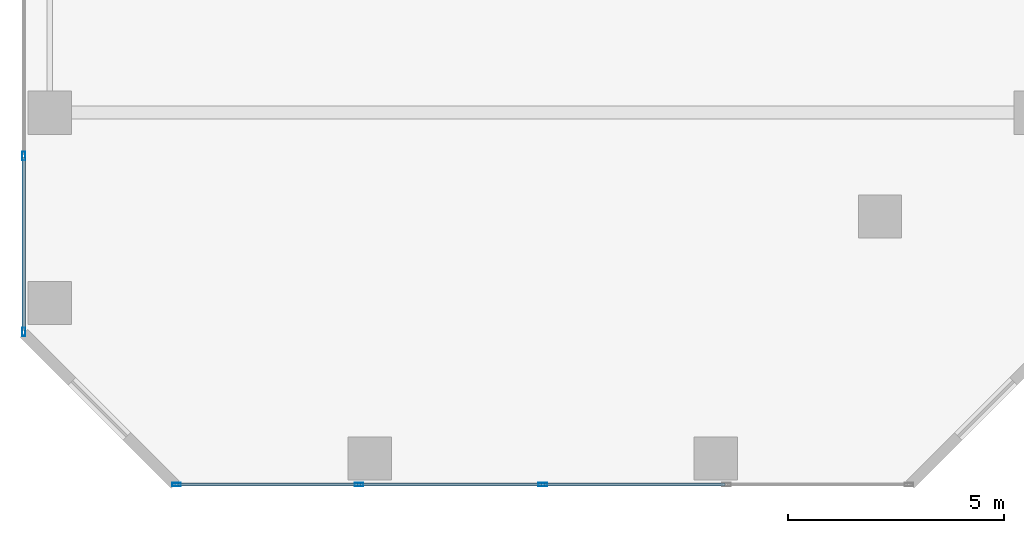
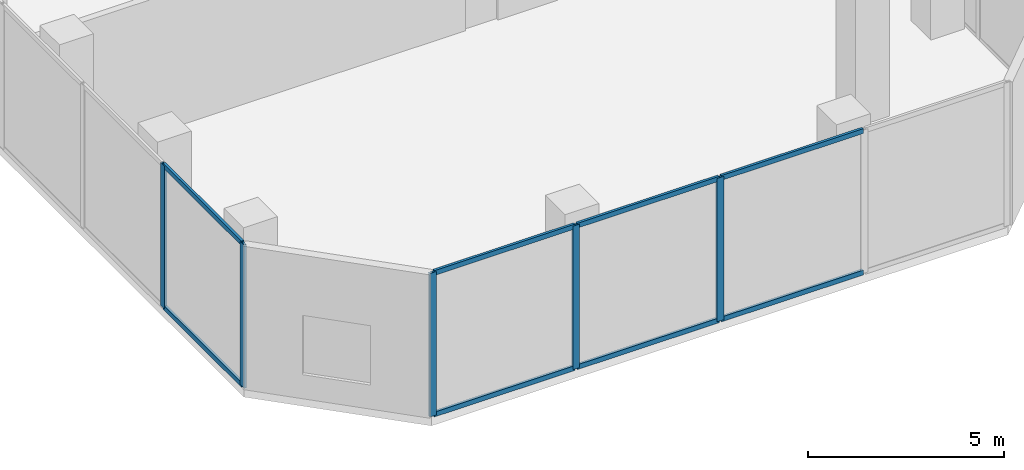
# One storey, part 2 of 24: 13 members, 2 elements without a shape of their own.
"""IFC4 building model written with IfcOpenShell, lengths in metres."""

from ifc_helpers import new_model, si_unit, direction, frame, origin, origin_2d, place, context, subcontext, project, spatial, hollow_rectangle, extrude, material, layer, layer_set, material_profile, profile_set, type_object, element, aggregate, save


model = new_model("IFC4")

# Units and contexts
model_context = context("Model", 3, precision=1e-05, world=origin(), true_north=direction((0.0, 1.0)))
body_context = subcontext(model_context, "Body", "Model", "MODEL_VIEW")
ifc_project = project(units=[si_unit("LENGTHUNIT", "METRE"), si_unit("AREAUNIT", "SQUARE_METRE"), si_unit("VOLUMEUNIT", "CUBIC_METRE"), si_unit("PLANEANGLEUNIT", "RADIAN"), si_unit("MASSUNIT", "GRAM", prefix="KILO")], contexts=[model_context])

# Site, building, storey
site_placement = place(None, origin())
site = spatial("IfcSite", under=ifc_project, at=site_placement, CompositionType="ELEMENT")
building_placement = place(site_placement, origin())
building = spatial("IfcBuilding", under=site, at=building_placement, Name="Catumbela Crestline Tower", CompositionType="ELEMENT")
storey_placement = place(building_placement, frame((0.0, 0.0, 11.1)))
storey = spatial("IfcBuildingStorey", under=building, at=storey_placement, Name="L02", CompositionType="ELEMENT", Elevation=11.1)

# Curtain wall, members
ifc_material = material(Name="Aluminium alloy AW-6060-T66", Category="aluminium")
ifc_layer = layer(ifc_material, 0.18, Name="Aluminium alloy AW-6060-T66")
ifc_layer_set = layer_set([ifc_layer], Name="Aluminium alloy AW-6060-T66")
curtain_wall_type = type_object("IfcCurtainWallType", Name="CWS-POD", PredefinedType="USERDEFINED", material=ifc_layer_set)
curtain_wall_1_placement = place(storey_placement, origin())
curtain_wall_1 = element("IfcCurtainWall", 1, at=curtain_wall_1_placement, inside=storey, type_object=curtain_wall_type, Name="L02 Stick Curtain Wall CW-L02-E0S1", ObjectType="STICK", PredefinedType="USERDEFINED")
ifc_material_profile_1 = material_profile(ifc_material, hollow_rectangle(XDim=0.075, YDim=0.2, WallThickness=0.005, at=origin_2d()), Name="ALU 200x75x5")
ifc_profile_set_1 = profile_set([ifc_material_profile_1], Name="Aluminium alloy AW-6060-T66")
member_type_1 = type_object("IfcMemberType", Name="MUL-200X75", PredefinedType="MULLION", material=ifc_profile_set_1)
member_1_placement = place(storey_placement, frame((3.5325, 0.0, 0.0), z_axis=(0.0, 0.0, 1.0), x_axis=(0.0, 1.0, 0.0)))
member_1 = element("IfcMember", 2, at=member_1_placement, type_object=member_type_1, Name="CWS-POD mullion 1", PredefinedType="MULLION", context=body_context, shape_type="SweptSolid", body=[
    extrude(hollow_rectangle(XDim=0.075, YDim=0.2, WallThickness=0.005, at=origin_2d()), origin(), (0.0, 0.0, 1.0), 4.47),
])
member_2_placement = place(storey_placement, frame((7.75, 0.0, 0.0), z_axis=(0.0, 0.0, 1.0), x_axis=(0.0, 1.0, 0.0)))
member_2 = element("IfcMember", 3, at=member_2_placement, type_object=member_type_1, Name="CWS-POD mullion 2", PredefinedType="MULLION", context=body_context, shape_type="SweptSolid", body=[
    extrude(hollow_rectangle(XDim=0.075, YDim=0.2, WallThickness=0.005, at=origin_2d()), origin(), (0.0, 0.0, 1.0), 4.47),
])
member_3_placement = place(storey_placement, frame((12.0, 0.0, 0.0), z_axis=(0.0, 0.0, 1.0), x_axis=(0.0, 1.0, 0.0)))
member_3 = element("IfcMember", 4, at=member_3_placement, type_object=member_type_1, Name="CWS-POD mullion 3", PredefinedType="MULLION", context=body_context, shape_type="SweptSolid", body=[
    extrude(hollow_rectangle(XDim=0.075, YDim=0.2, WallThickness=0.005, at=origin_2d()), origin(), (0.0, 0.0, 1.0), 4.47),
])

curtain_wall_2_placement = place(storey_placement, origin())
curtain_wall_2 = element("IfcCurtainWall", 5, at=curtain_wall_2_placement, inside=storey, type_object=curtain_wall_type, Name="L02 Stick Curtain Wall CW-L02-E9S1", ObjectType="STICK", PredefinedType="USERDEFINED")
member_4_placement = place(storey_placement, frame((0.0, 7.6, 0.0), z_axis=(0.0, 0.0, 1.0), x_axis=(1.0, 0.0, 0.0)))
member_4 = element("IfcMember", 6, at=member_4_placement, type_object=member_type_1, Name="CWS-POD mullion 10", PredefinedType="MULLION", context=body_context, shape_type="SweptSolid", body=[
    extrude(hollow_rectangle(XDim=0.075, YDim=0.2, WallThickness=0.005, at=origin_2d()), origin(), (0.0, 0.0, 1.0), 4.47),
])
member_5_placement = place(storey_placement, frame((0.0, 3.5325, 0.0), z_axis=(0.0, 0.0, 1.0), x_axis=(1.0, 0.0, 0.0)))
member_5 = element("IfcMember", 7, at=member_5_placement, type_object=member_type_1, Name="CWS-POD mullion 11", PredefinedType="MULLION", context=body_context, shape_type="SweptSolid", body=[
    extrude(hollow_rectangle(XDim=0.075, YDim=0.2, WallThickness=0.005, at=origin_2d()), origin(), (0.0, 0.0, 1.0), 4.47),
])

# Member
ifc_material_profile_2 = material_profile(ifc_material, hollow_rectangle(XDim=0.075, YDim=0.15, WallThickness=0.0045, at=origin_2d()), Name="ALU 150x75x4.5")
ifc_profile_set_2 = profile_set([ifc_material_profile_2], Name="Aluminium alloy AW-6060-T66")
member_type_2 = type_object("IfcMemberType", Name="TRN-150X75", PredefinedType="USERDEFINED", material=ifc_profile_set_2)
member_6_placement = place(storey_placement, frame((3.565, 0.0, 0.03), z_axis=(1.0, 0.0, 0.0), x_axis=(0.0, 1.0, 0.0)))
member_6 = element("IfcMember", 8, at=member_6_placement, type_object=member_type_2, Name="CWS-POD transom 1.1", ObjectType="TRANSOM", PredefinedType="USERDEFINED", context=body_context, shape_type="SweptSolid", body=[
    extrude(hollow_rectangle(XDim=0.075, YDim=0.15, WallThickness=0.0045, at=origin_2d()), origin(), (0.0, 0.0, 1.0), 4.1525),
])

member_7_placement = place(storey_placement, frame((3.565, 0.0, 4.44), z_axis=(1.0, 0.0, 0.0), x_axis=(0.0, 1.0, 0.0)))
member_7 = element("IfcMember", 9, at=member_7_placement, type_object=member_type_2, Name="CWS-POD transom 1.2", ObjectType="TRANSOM", PredefinedType="USERDEFINED", context=body_context, shape_type="SweptSolid", body=[
    extrude(hollow_rectangle(XDim=0.075, YDim=0.15, WallThickness=0.0045, at=origin_2d()), origin(), (0.0, 0.0, 1.0), 4.1525),
])

member_8_placement = place(storey_placement, frame((7.7825, 0.0, 0.03), z_axis=(1.0, 0.0, 0.0), x_axis=(0.0, 1.0, 0.0)))
member_8 = element("IfcMember", 10, at=member_8_placement, type_object=member_type_2, Name="CWS-POD transom 2.1", ObjectType="TRANSOM", PredefinedType="USERDEFINED", context=body_context, shape_type="SweptSolid", body=[
    extrude(hollow_rectangle(XDim=0.075, YDim=0.15, WallThickness=0.0045, at=origin_2d()), origin(), (0.0, 0.0, 1.0), 4.185),
])

member_9_placement = place(storey_placement, frame((7.7825, 0.0, 4.44), z_axis=(1.0, 0.0, 0.0), x_axis=(0.0, 1.0, 0.0)))
member_9 = element("IfcMember", 11, at=member_9_placement, type_object=member_type_2, Name="CWS-POD transom 2.2", ObjectType="TRANSOM", PredefinedType="USERDEFINED", context=body_context, shape_type="SweptSolid", body=[
    extrude(hollow_rectangle(XDim=0.075, YDim=0.15, WallThickness=0.0045, at=origin_2d()), origin(), (0.0, 0.0, 1.0), 4.185),
])

member_10_placement = place(storey_placement, frame((12.0325, 0.0, 0.03), z_axis=(1.0, 0.0, 0.0), x_axis=(0.0, 1.0, 0.0)))
member_10 = element("IfcMember", 12, at=member_10_placement, type_object=member_type_2, Name="CWS-POD transom 3.1", ObjectType="TRANSOM", PredefinedType="USERDEFINED", context=body_context, shape_type="SweptSolid", body=[
    extrude(hollow_rectangle(XDim=0.075, YDim=0.15, WallThickness=0.0045, at=origin_2d()), origin(), (0.0, 0.0, 1.0), 4.185),
])

member_11_placement = place(storey_placement, frame((12.0325, 0.0, 4.44), z_axis=(1.0, 0.0, 0.0), x_axis=(0.0, 1.0, 0.0)))
member_11 = element("IfcMember", 13, at=member_11_placement, type_object=member_type_2, Name="CWS-POD transom 3.2", ObjectType="TRANSOM", PredefinedType="USERDEFINED", context=body_context, shape_type="SweptSolid", body=[
    extrude(hollow_rectangle(XDim=0.075, YDim=0.15, WallThickness=0.0045, at=origin_2d()), origin(), (0.0, 0.0, 1.0), 4.185),
])

aggregate(curtain_wall_1, [member_1, member_2, member_3, member_6, member_7, member_8, member_9, member_10, member_11])

member_12_placement = place(storey_placement, frame((0.0, 7.5675, 0.03), z_axis=(0.0, -1.0, 0.0), x_axis=(1.0, 0.0, 0.0)))
member_12 = element("IfcMember", 14, at=member_12_placement, type_object=member_type_2, Name="CWS-POD transom 10.1", ObjectType="TRANSOM", PredefinedType="USERDEFINED", context=body_context, shape_type="SweptSolid", body=[
    extrude(hollow_rectangle(XDim=0.075, YDim=0.15, WallThickness=0.0045, at=origin_2d()), origin(), (0.0, 0.0, 1.0), 4.0025),
])

member_13_placement = place(storey_placement, frame((0.0, 7.5675, 4.44), z_axis=(0.0, -1.0, 0.0), x_axis=(1.0, 0.0, 0.0)))
member_13 = element("IfcMember", 15, at=member_13_placement, type_object=member_type_2, Name="CWS-POD transom 10.2", ObjectType="TRANSOM", PredefinedType="USERDEFINED", context=body_context, shape_type="SweptSolid", body=[
    extrude(hollow_rectangle(XDim=0.075, YDim=0.15, WallThickness=0.0045, at=origin_2d()), origin(), (0.0, 0.0, 1.0), 4.0025),
])

aggregate(curtain_wall_2, [member_4, member_5, member_12, member_13])

save(model, "model.ifc")
